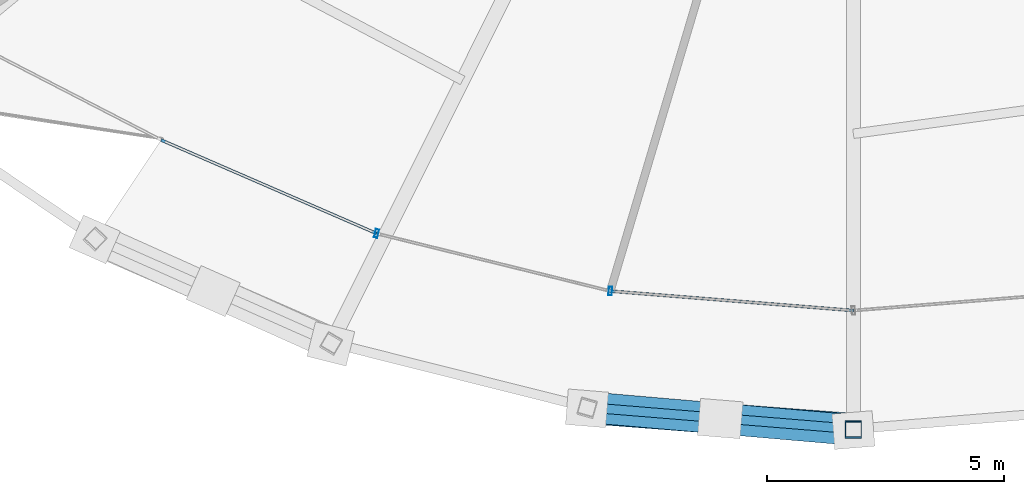
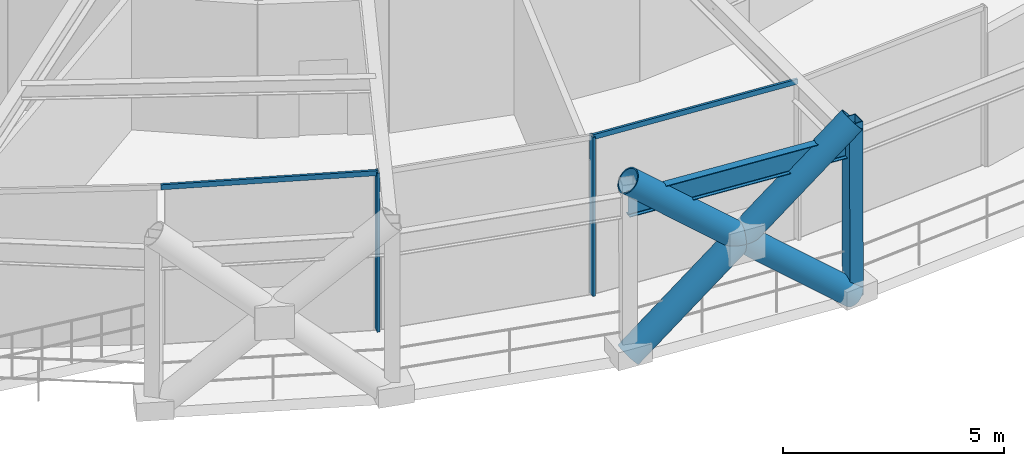
# One storey, part 4 of 39: 8 members, 1 beam, 1 element without a shape of its own.
"""IFC4 building model written with IfcOpenShell, lengths in metres."""

from ifc_helpers import new_model, si_unit, direction, frame, origin, origin_2d, place, context, subcontext, project, spatial, hollow_rectangle, hollow_circle, i_section, extrude, material, layer, layer_set, material_profile, profile_set, type_object, element, aggregate, save


model = new_model("IFC4")

# Units and contexts
model_context = context("Model", 3, precision=1e-05, world=origin(), true_north=direction((0.0, 1.0)))
body_context = subcontext(model_context, "Body", "Model", "MODEL_VIEW")
ifc_project = project(units=[si_unit("LENGTHUNIT", "METRE"), si_unit("AREAUNIT", "SQUARE_METRE"), si_unit("VOLUMEUNIT", "CUBIC_METRE"), si_unit("PLANEANGLEUNIT", "RADIAN"), si_unit("MASSUNIT", "GRAM", prefix="KILO")], contexts=[model_context])

# Site, building, storey
site_placement = place(None, origin())
site = spatial("IfcSite", under=ifc_project, at=site_placement, CompositionType="ELEMENT")
building_placement = place(site_placement, origin())
building = spatial("IfcBuilding", under=site, at=building_placement, Name="Veldorina Hangang Commons", CompositionType="ELEMENT")
storey_placement = place(building_placement, frame((0.0, 0.0, 106.0)))
storey = spatial("IfcBuildingStorey", under=building, at=storey_placement, Name="L27", CompositionType="ELEMENT", Elevation=106.0)

# Beam
ifc_material_1 = material(Name="Steel SM420-TMC", Category="steel")
ifc_material_profile_1 = material_profile(ifc_material_1, i_section(OverallWidth=0.199951171875, OverallDepth=0.60009765625, WebThickness=0.010986328125, FlangeThickness=0.01708984375, FilletRadius=0.01806640625, at=origin_2d()), Name="H-600x200x11x17")
ifc_profile_set_1 = profile_set([ifc_material_profile_1], Name="Steel SM420-TMC")
beam_type = type_object("IfcBeamType", Name="BM-RB600", PredefinedType="BEAM", material=ifc_profile_set_1)
beam_placement = place(storey_placement, frame((26.39111328125, 0.632568359375, 4.139892578125), z_axis=(0.996686123384, -0.081343539712, 0.0), x_axis=(0.081343539712, 0.996686123384, 0.0)))
element("IfcBeam", 1, at=beam_placement, inside=storey, type_object=beam_type, Name="L27 perimeter hoop ring beam 23", PredefinedType="BEAM", context=body_context, shape_type="SweptSolid", body=[
    extrude(i_section(OverallWidth=0.199951171875, OverallDepth=0.60009765625, WebThickness=0.010986328125, FlangeThickness=0.01708984375, FilletRadius=0.01806640625, at=origin_2d()), origin(), (0.0, 0.0, 1.0), 5.62744140625),
])

# Curtain wall, members
ifc_material_2 = material(Name="Glass Acoustic Laminated", Category="glass")
ifc_layer = layer(ifc_material_2, 0.179931640625)
ifc_layer_set = layer_set([ifc_layer], Name="Glass Acoustic Laminated")
curtain_wall_type = type_object("IfcCurtainWallType", Name="CW-SYS-SKY", PredefinedType="NOTDEFINED", material=ifc_layer_set)
curtain_wall_placement = place(storey_placement, origin())
curtain_wall = element("IfcCurtainWall", 2, at=curtain_wall_placement, inside=storey, type_object=curtain_wall_type, Name="L27 unitised curtain wall CW-L27-R11", PredefinedType="NOTDEFINED")
ifc_material_3 = material(Name="Aluminium Anodized AA6063-T6", Category="aluminium")
ifc_material_profile_2 = material_profile(ifc_material_3, hollow_rectangle(XDim=0.070068359375, YDim=0.179931640625, WallThickness=0.00390625, at=origin_2d()), Name="ALU-RHS-180x70x4")
ifc_profile_set_2 = profile_set([ifc_material_profile_2], Name="Aluminium Anodized AA6063-T6")
member_type_1 = type_object("IfcMemberType", Name="CW-MUL-180", PredefinedType="MULLION", material=ifc_profile_set_2)
member_1_placement = place(storey_placement, frame((21.94970703125, 4.29541015625, 0.0), z_axis=(0.0, 0.0, 1.0), x_axis=(0.970971690373, -0.239194432404, 0.0)))
member_1 = element("IfcMember", 3, at=member_1_placement, type_object=member_type_1, Name="CW-L27-R11 vertical mullion 2", PredefinedType="MULLION", context=body_context, shape_type="SweptSolid", body=[
    extrude(hollow_rectangle(XDim=0.070068359375, YDim=0.179931640625, WallThickness=0.00390625, at=origin_2d()), origin(), (0.0, 0.0, 1.0), 4.39990234375),
])
member_2_placement = place(storey_placement, frame((26.87646484375, 3.081787109375, 0.0), z_axis=(0.0, 0.0, 1.0), x_axis=(0.996816560632, -0.079729194461, 0.0)))
member_2 = element("IfcMember", 4, at=member_2_placement, type_object=member_type_1, Name="CW-L27-R11 vertical mullion 3", PredefinedType="MULLION", context=body_context, shape_type="SweptSolid", body=[
    extrude(hollow_rectangle(XDim=0.070068359375, YDim=0.179931640625, WallThickness=0.00390625, at=origin_2d()), origin(), (0.0, 0.0, 1.0), 4.39990234375),
])
ifc_material_profile_3 = material_profile(ifc_material_3, hollow_rectangle(XDim=0.06005859375, YDim=0.139892578125, WallThickness=0.00341796875, at=origin_2d()), Name="ALU-RHS-140x60x3.5")
ifc_profile_set_3 = profile_set([ifc_material_profile_3], Name="Aluminium Anodized AA6063-T6")
member_type_2 = type_object("IfcMemberType", Name="CW-TRN-140", PredefinedType="USERDEFINED", material=ifc_profile_set_3)
member_3_placement = place(storey_placement, frame((17.4091796875, 6.266357421875, 4.360107421875), z_axis=(0.917305923729, -0.398183176807, 0.0), x_axis=(0.398183176807, 0.917305923729, 0.0)))
member_3 = element("IfcMember", 5, at=member_3_placement, type_object=member_type_2, Name="CW-L27-R11 facet 2 transom 1", ObjectType="TRANSOM", PredefinedType="USERDEFINED", context=body_context, shape_type="SweptSolid", body=[
    extrude(hollow_rectangle(XDim=0.06005859375, YDim=0.139892578125, WallThickness=0.00341796875, at=origin_2d()), origin(), (0.0, 0.0, 1.0), 4.949951171875),
])
member_4_placement = place(storey_placement, frame((26.87646484375, 3.081787109375, 4.360107421875), z_axis=(0.996814825429, -0.079750885919, 0.0), x_axis=(0.079750885919, 0.996814825429, 0.0)))
member_4 = element("IfcMember", 6, at=member_4_placement, type_object=member_type_2, Name="CW-L27-R11 facet 4 transom 1", ObjectType="TRANSOM", PredefinedType="USERDEFINED", context=body_context, shape_type="SweptSolid", body=[
    extrude(hollow_rectangle(XDim=0.06005859375, YDim=0.139892578125, WallThickness=0.00341796875, at=origin_2d()), origin(), (0.0, 0.0, 1.0), 5.139892578125),
])
aggregate(curtain_wall, [member_1, member_2, member_3, member_4])

# Members
ifc_material_4 = material(Name="Steel SM460-TMC", Category="steel")
ifc_material_profile_4 = material_profile(ifc_material_4, hollow_circle(Radius=0.324951171875, WallThickness=0.031982421875, at=origin_2d()), Name="CHS-650x32")
ifc_profile_set_4 = profile_set([ifc_material_profile_4], Name="Steel SM460-TMC")
member_type_3 = type_object("IfcMemberType", Name="DG-CHS650", PredefinedType="BRACE", material=ifc_profile_set_4)
member_5_placement = place(storey_placement, frame((26.384765625, 0.610107421875, 0.0), z_axis=(0.75883181169, -0.058331071438, 0.648669228245), x_axis=(0.076643458321, 0.997058564126, 0.0)))
element("IfcMember", 7, at=member_5_placement, inside=storey, type_object=member_type_3, Name="L27 continuous perimeter diagrid brace 23", PredefinedType="BRACE", context=body_context, shape_type="SweptSolid", body=[
    extrude(hollow_circle(Radius=0.324951171875, WallThickness=0.031982421875, at=origin_2d()), origin(), (0.0, 0.0, 1.0), 7.39990234375),
])
member_6_placement = place(storey_placement, frame((32.0, 0.15185546875, 0.0), z_axis=(-0.75809023176, 0.065433351597, 0.648858749659), x_axis=(-0.085993675925, -0.996295682868, 0.0)))
element("IfcMember", 8, at=member_6_placement, inside=storey, type_object=member_type_3, Name="L27 split perimeter diagrid lower brace 24", PredefinedType="BRACE", context=body_context, shape_type="SweptSolid", body=[
    extrude(hollow_circle(Radius=0.324951171875, WallThickness=0.031982421875, at=origin_2d()), origin(), (0.0, 0.0, 1.0), 3.701171875),
])
member_7_placement = place(storey_placement, frame((29.194091796875, 0.39404296875, 2.401611328125), z_axis=(-0.758066415276, 0.065456462276, 0.648884243589), x_axis=(-0.086026506315, -0.99629284862, 0.0)))
element("IfcMember", 9, at=member_7_placement, inside=storey, type_object=member_type_3, Name="L27 split perimeter diagrid upper brace 24", PredefinedType="BRACE", context=body_context, shape_type="SweptSolid", body=[
    extrude(hollow_circle(Radius=0.324951171875, WallThickness=0.031982421875, at=origin_2d()), origin(), (0.0, 0.0, 1.0), 3.6962890625),
])
ifc_material_5 = material(Name="Steel SM355-TMC", Category="steel")
ifc_material_profile_5 = material_profile(ifc_material_5, hollow_rectangle(XDim=0.35009765625, YDim=0.35009765625, WallThickness=0.01611328125, at=origin_2d()), Name="SHS-350x350x16")
ifc_profile_set_5 = profile_set([ifc_material_profile_5], Name="Steel SM355-TMC")
member_type_4 = type_object("IfcMemberType", Name="STR-SHS350", PredefinedType="STRUT", material=ifc_profile_set_5)
member_8_placement = place(storey_placement, frame((32.0, 0.15185546875, 0.0), z_axis=(0.0, 0.0055438851, 0.999984632551), x_axis=(-1.0, 0.0, 0.0)))
element("IfcMember", 10, at=member_8_placement, inside=storey, type_object=member_type_4, Name="L27 perimeter ring node post 24", PredefinedType="STRUT", context=body_context, shape_type="SweptSolid", body=[
    extrude(hollow_rectangle(XDim=0.35009765625, YDim=0.35009765625, WallThickness=0.01611328125, at=origin_2d()), origin(), (0.0, 0.0, 1.0), 4.800048828125),
])

save(model, "model.ifc")
